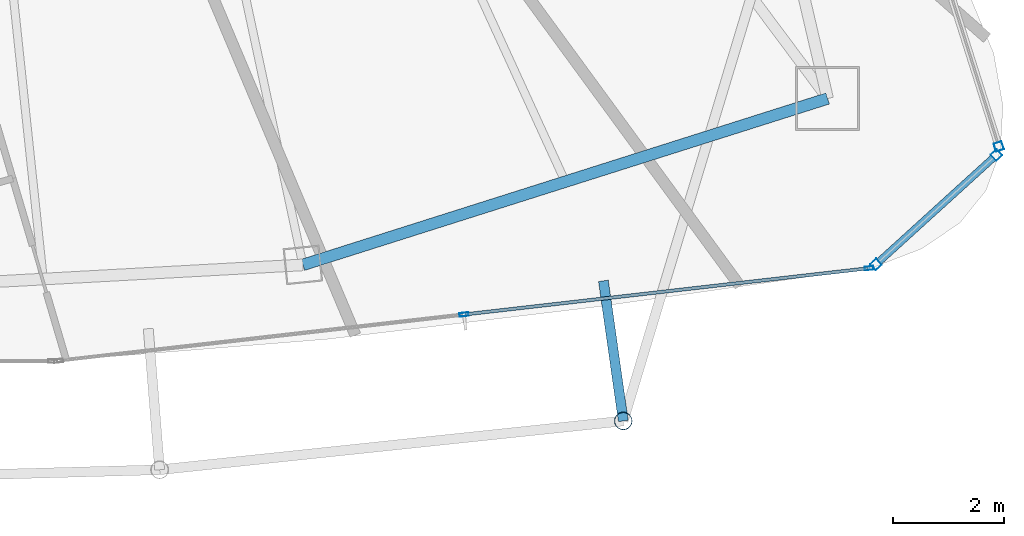
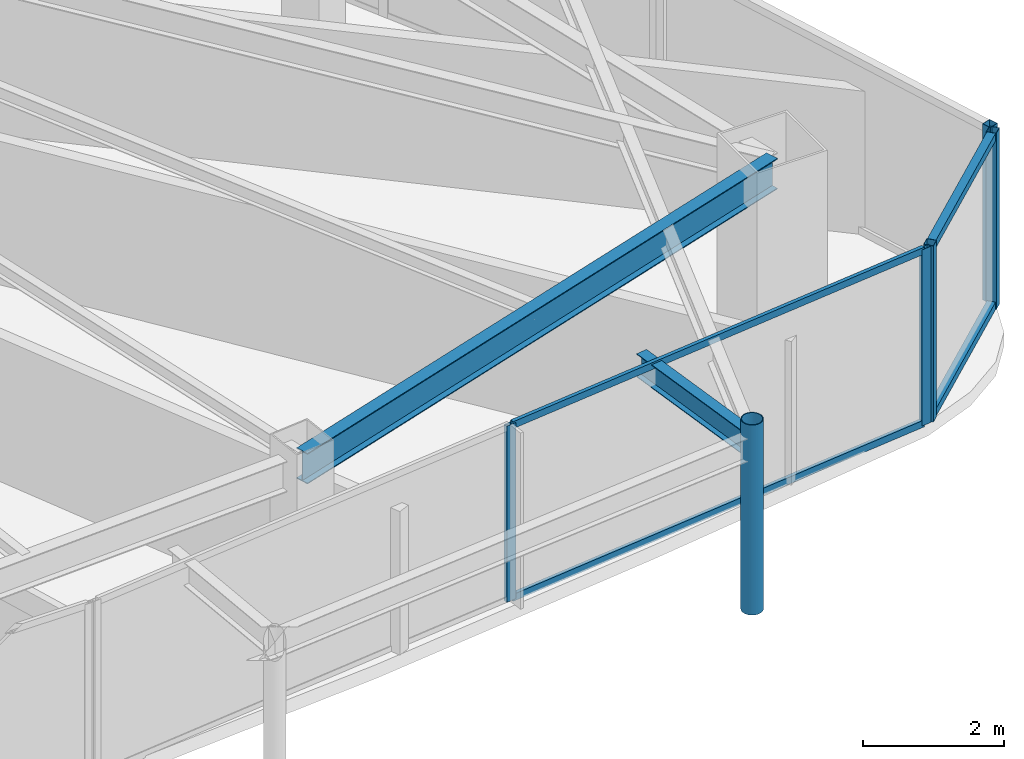
# One storey, part 14 of 28: 10 members, 2 beams, 3 elements without a shape of their own.
"""IFC4 building model written with IfcOpenShell, lengths in metres."""

import ifcopenshell
import ifcopenshell.guid

model = None  # the IFC model being written
_history = None  # IfcOwnerHistory: only IFC2X3 demands one
_inside = {}  # id of a spatial element -> (the spatial element, [elements in it])
_under = {}  # id of a project, library or spatial element -> (it, [spatial elements below it])
_declared = {}  # id of a project -> (the project, [libraries it declares])
_typed = {}  # id of a type object -> (the type object, [elements of that type])
_made_of = {}  # id of a material, layer set ... -> (it, [elements and type objects made of it])


def new_model(schema):
    """Start an empty IFC model of exactly this schema.

    Asked for "IFC4X3", IfcOpenShell would pick the latest addendum, in which some entities
    have other attributes; the version numbers below select the first issue.
    IFC2X3 requires an IfcOwnerHistory on every rooted entity: one is made here for all.
    """
    global model, _history
    if schema == "IFC4X3":
        model = ifcopenshell.file(schema_version=(4, 3, 0, 0))
    else:
        model = ifcopenshell.file(schema=schema)
    _inside.clear()
    _under.clear()
    _declared.clear()
    _typed.clear()
    _made_of.clear()
    _history = None
    if model.schema == "IFC2X3":
        org = make("IfcOrganization", Name="unknown")
        user = make(
            "IfcPersonAndOrganization",
            ThePerson=make("IfcPerson", FamilyName="unknown"),
            TheOrganization=org,
        )
        app = make(
            "IfcApplication",
            ApplicationDeveloper=org,
            Version="unknown",
            ApplicationFullName="unknown",
            ApplicationIdentifier="unknown",
        )
        _history = make(
            "IfcOwnerHistory",
            OwningUser=user,
            OwningApplication=app,
            ChangeAction="ADDED",
            CreationDate=0,
        )
    return model


def make(cls, **values):
    """One entity of the class cls with the attributes given. An attribute that is None is left unset."""
    return model.create_entity(
        cls, **{name: value for name, value in values.items() if value is not None}
    )


def rooted(cls, **values):
    """An entity with a GlobalId (a new one), such as an element, a storey or a relation."""
    return make(cls, GlobalId=ifcopenshell.guid.new(), OwnerHistory=_history, **values)


def si_unit(unit_type, name, prefix=None):
    """IfcSIUnit, for example si_unit("LENGTHUNIT", "METRE", prefix="MILLI")."""
    return make("IfcSIUnit", UnitType=unit_type, Prefix=prefix, Name=name)


def assignment(units):
    """IfcUnitAssignment: the units of a project."""
    return None if units is None else make("IfcUnitAssignment", Units=units)


def point(xyz):
    """IfcCartesianPoint."""
    return None if xyz is None else make("IfcCartesianPoint", Coordinates=xyz)


def direction(xyz):
    """IfcDirection."""
    return None if xyz is None else make("IfcDirection", DirectionRatios=xyz)


def frame(location, z_axis=None, x_axis=None):
    """IfcAxis2Placement3D, a coordinate frame: its origin and axes. An axis left out is left unset."""
    return make(
        "IfcAxis2Placement3D",
        Location=point(location),
        Axis=direction(z_axis),
        RefDirection=direction(x_axis),
    )


def frame_2d(location, x_axis=None):
    """IfcAxis2Placement2D, a coordinate frame in the plane: its origin and x axis."""
    return make(
        "IfcAxis2Placement2D", Location=point(location), RefDirection=direction(x_axis)
    )


def origin():
    """The frame at (0, 0, 0) with its axes left unset."""
    return frame((0.0, 0.0, 0.0))


def origin_2d():
    """The frame at (0, 0) in the plane with its x axis left unset."""
    return frame_2d((0.0, 0.0))


def place(relative_to, where):
    """IfcLocalPlacement: puts the frame where relative to a parent placement (None: the world)."""
    return make(
        "IfcLocalPlacement", PlacementRelTo=relative_to, RelativePlacement=where
    )


def context(
    kind, dimensions, precision=None, world=None, true_north=None, identifier=None
):
    """IfcGeometricRepresentationContext, for example the 3D "Model" context."""
    return make(
        "IfcGeometricRepresentationContext",
        ContextIdentifier=identifier,
        ContextType=kind,
        CoordinateSpaceDimension=dimensions,
        Precision=precision,
        WorldCoordinateSystem=world,
        TrueNorth=true_north,
    )


def subcontext(parent, identifier, kind, view, scale=None):
    """IfcGeometricRepresentationSubContext, for example "Body" below "Model"."""
    return make(
        "IfcGeometricRepresentationSubContext",
        ContextIdentifier=identifier,
        ContextType=kind,
        ParentContext=parent,
        TargetScale=scale,
        TargetView=view,
    )


def project(units=None, contexts=None):
    """IfcProject with its units and contexts."""
    return rooted(
        "IfcProject",
        Name="project",
        RepresentationContexts=contexts,
        UnitsInContext=assignment(units),
    )


def spatial(cls, under=None, at=None, **own):
    """A site, building, storey or space (cls), placed at a placement, below another one or the project."""
    s = rooted(cls, ObjectPlacement=at, **own)
    if under is not None:
        _under.setdefault(under.id(), (under, []))[1].append(s)
    return s


def profile(cls, at=None, kind="AREA", **sizes):
    """A parametric profile (cls). Its sizes go by their IFC names, for example OverallWidth=200.0."""
    return make(cls, ProfileType=kind, Position=at, **sizes)


def hollow_rectangle(**sizes):
    """IfcRectangleHollowProfileDef."""
    return profile("IfcRectangleHollowProfileDef", **sizes)


def hollow_circle(**sizes):
    """IfcCircleHollowProfileDef."""
    return profile("IfcCircleHollowProfileDef", **sizes)


def i_section(**sizes):
    """IfcIShapeProfileDef."""
    return profile("IfcIShapeProfileDef", **sizes)


def extrude(swept, where, along, depth):
    """IfcExtrudedAreaSolid: the profile swept, set in the frame where, extruded along a direction by depth."""
    return make(
        "IfcExtrudedAreaSolid",
        SweptArea=swept,
        Position=where,
        ExtrudedDirection=direction(along),
        Depth=depth,
    )


def shape(context_of_items, identifier, shape_type, items):
    """IfcShapeRepresentation: the items that make up one representation, for example the "Body"."""
    return make(
        "IfcShapeRepresentation",
        ContextOfItems=context_of_items,
        RepresentationIdentifier=identifier,
        RepresentationType=shape_type,
        Items=items,
    )


def material(Name=None, Category=None):
    """IfcMaterial."""
    return make("IfcMaterial", Name=Name, Category=Category)


def layer(
    of_material, thickness, ventilated=None, Name=None, Category=None, Priority=None
):
    """IfcMaterialLayer: one layer of a wall or slab, of a material (None: an air gap)."""
    return make(
        "IfcMaterialLayer",
        Material=of_material,
        LayerThickness=thickness,
        IsVentilated=ventilated,
        Name=Name,
        Category=Category,
        Priority=Priority,
    )


def layer_set(layers, Name=None):
    """IfcMaterialLayerSet."""
    return make("IfcMaterialLayerSet", MaterialLayers=layers, LayerSetName=Name)


def material_profile(
    of_material, cross_section, Name=None, Category=None, Priority=None
):
    """IfcMaterialProfile: a cross section and its material."""
    return make(
        "IfcMaterialProfile",
        Name=Name,
        Material=of_material,
        Profile=cross_section,
        Priority=Priority,
        Category=Category,
    )


def profile_set(profiles, Name=None, composite=None):
    """IfcMaterialProfileSet."""
    return make(
        "IfcMaterialProfileSet",
        Name=Name,
        MaterialProfiles=profiles,
        CompositeProfile=composite,
    )


def made_of(thing, what):
    """Note that an element or type object is made of a material, layer set ...; save() writes the relation."""
    if what is not None:
        _made_of.setdefault(what.id(), (what, []))[1].append(thing)
    return thing


def type_object(cls, material=None, **own):
    """A type object (cls), such as IfcWallType, which elements share."""
    return made_of(rooted(cls, **own), material)


def element(
    cls,
    number,
    at=None,
    inside=None,
    cuts=None,
    type_object=None,
    material=None,
    context=None,
    identifier="Body",
    shape_type=None,
    held_by="IfcProductDefinitionShape",
    body=None,
    shapes=None,
    **own,
):
    """One element of the class cls, such as IfcWall. Its Tag is "e" and its number.

    at: its placement. inside: the storey or other place that contains it. cuts: it is an
    opening in that element (IfcRelVoidsElement). A single representation is given by context,
    identifier, shape_type and body (its items); several are given by shapes. held_by: the class
    of the entity that holds the representations. save() writes the other relations.
    """
    e = rooted(cls, Tag="e%d" % number, ObjectPlacement=at, **own)
    if body is not None:
        shapes = [shape(context, identifier, shape_type, body)]
    if shapes is not None:
        e.Representation = make(held_by, Representations=shapes)
    if inside is not None:
        _inside.setdefault(inside.id(), (inside, []))[1].append(e)
    if cuts is not None:
        rooted(
            "IfcRelVoidsElement", RelatingBuildingElement=cuts, RelatedOpeningElement=e
        )
    if type_object is not None:
        _typed.setdefault(type_object.id(), (type_object, []))[1].append(e)
    return made_of(e, material)


def aggregate(whole, parts):
    """IfcRelAggregates: a whole, such as a stair, and the parts it consists of."""
    return rooted("IfcRelAggregates", RelatingObject=whole, RelatedObjects=parts)


def save(model, path):
    """Write the relations noted so far, then the file.

    IfcRelAggregates (storeys below a building ...), IfcRelContainedInSpatialStructure (elements
    in a storey), IfcRelDefinesByType, IfcRelAssociatesMaterial and IfcRelDeclares: one each for
    every whole, place, type object, material and project.
    """
    for whole, parts in _under.values():
        aggregate(whole, parts)
    for where, things in _inside.values():
        rooted(
            "IfcRelContainedInSpatialStructure",
            RelatedElements=things,
            RelatingStructure=where,
        )
    for kind, things in _typed.values():
        rooted("IfcRelDefinesByType", RelatedObjects=things, RelatingType=kind)
    for what, things in _made_of.values():
        rooted("IfcRelAssociatesMaterial", RelatedObjects=things, RelatingMaterial=what)
    for by, libraries in _declared.values():
        rooted("IfcRelDeclares", RelatingContext=by, RelatedDefinitions=libraries)
    model.write(path)


model = new_model("IFC4")

# Units and contexts
model_context = context("Model", 3, precision=1e-05, world=origin(), true_north=direction((0.0, 1.0)))
body_context = subcontext(model_context, "Body", "Model", "MODEL_VIEW")
ifc_project = project(units=[si_unit("LENGTHUNIT", "METRE"), si_unit("AREAUNIT", "SQUARE_METRE"), si_unit("VOLUMEUNIT", "CUBIC_METRE"), si_unit("PLANEANGLEUNIT", "RADIAN"), si_unit("MASSUNIT", "GRAM", prefix="KILO")], contexts=[model_context])

# Site, building, storey
site_placement = place(None, origin())
site = spatial("IfcSite", under=ifc_project, at=site_placement, CompositionType="ELEMENT")
building_placement = place(site_placement, origin())
building = spatial("IfcBuilding", under=site, at=building_placement, Name="Orvanel Arch Residences", CompositionType="ELEMENT")
storey_placement = place(building_placement, frame((0.0, 0.0, 263.449951171875)))
storey = spatial("IfcBuildingStorey", under=building, at=storey_placement, Name="L75", CompositionType="ELEMENT", Elevation=263.449951171875)

# Curtain wall, members
ifc_material_1 = material(Name="Bronze-anodised aluminium AA6063-T6", Category="aluminium")
ifc_layer_1 = layer(ifc_material_1, 0.18994140625)
ifc_layer_set_1 = layer_set([ifc_layer_1], Name="Bronze-anodised aluminium AA6063-T6")
curtain_wall_type_1 = type_object("IfcCurtainWallType", Name="CW5-CRN-SYS", PredefinedType="NOTDEFINED", material=ifc_layer_set_1)
curtain_wall_1_placement = place(storey_placement, origin())
curtain_wall_1 = element("IfcCurtainWall", 1, at=curtain_wall_1_placement, inside=storey, type_object=curtain_wall_type_1, Name="L75 CW5-CRN-SYS Unitised Curtain Wall", PredefinedType="NOTDEFINED")
ifc_material_profile_1 = material_profile(ifc_material_1, hollow_rectangle(XDim=0.14990234375, YDim=0.14990234375, WallThickness=0.0048828125, at=origin_2d()), Name="ALU150x150x5")
ifc_profile_set_1 = profile_set([ifc_material_profile_1], Name="Bronze-anodised aluminium AA6063-T6")
member_type_1 = type_object("IfcMemberType", Name="MUL-150x150", PredefinedType="MULLION", material=ifc_profile_set_1)
member_1_placement = place(storey_placement, frame((52.672607421875, 7.364501953125, 0.0), z_axis=(0.0, 0.0, 1.0), x_axis=(-0.672365707037, 0.740219127016, 0.0)))
member_1 = element("IfcMember", 2, at=member_1_placement, type_object=member_type_1, Name="CW-S5 mullion 1", PredefinedType="MULLION", context=body_context, shape_type="SweptSolid", body=[
    extrude(hollow_rectangle(XDim=0.14990234375, YDim=0.14990234375, WallThickness=0.0048828125, at=origin_2d()), origin(), (0.0, 0.0, 1.0), 3.06005859375),
])
member_2_placement = place(storey_placement, frame((54.841552734375, 9.33447265625, 0.0), z_axis=(0.0, 0.0, 1.0), x_axis=(-0.672365707037, 0.740219127016, 0.0)))
member_2 = element("IfcMember", 3, at=member_2_placement, type_object=member_type_1, Name="CW-S5 mullion 2", PredefinedType="MULLION", context=body_context, shape_type="SweptSolid", body=[
    extrude(hollow_rectangle(XDim=0.14990234375, YDim=0.14990234375, WallThickness=0.0048828125, at=origin_2d()), origin(), (0.0, 0.0, 1.0), 3.06005859375),
])

# Curtain wall, member
curtain_wall_2_placement = place(storey_placement, origin())
curtain_wall_2 = element("IfcCurtainWall", 4, at=curtain_wall_2_placement, inside=storey, type_object=curtain_wall_type_1, Name="L75 CW5-CRN-SYS Unitised Curtain Wall", PredefinedType="NOTDEFINED")
member_3_placement = place(storey_placement, frame((54.88330078125, 9.488525390625, 0.0), z_axis=(0.0, 0.0, 1.0), x_axis=(-0.953425503375, -0.30162859532, 0.0)))
member_3 = element("IfcMember", 5, at=member_3_placement, type_object=member_type_1, Name="CW-S5 mullion 1", PredefinedType="MULLION", context=body_context, shape_type="SweptSolid", body=[
    extrude(hollow_rectangle(XDim=0.14990234375, YDim=0.14990234375, WallThickness=0.0048828125, at=origin_2d()), origin(), (0.0, 0.0, 1.0), 3.06005859375),
])
aggregate(curtain_wall_2, [member_3])

# Curtain wall, members
ifc_layer_2 = layer(ifc_material_1, 0.175048828125)
ifc_layer_set_2 = layer_set([ifc_layer_2], Name="Bronze-anodised aluminium AA6063-T6")
curtain_wall_type_2 = type_object("IfcCurtainWallType", Name="CW4-HI-SYS", PredefinedType="NOTDEFINED", material=ifc_layer_set_2)
curtain_wall_3_placement = place(storey_placement, origin())
curtain_wall_3 = element("IfcCurtainWall", 6, at=curtain_wall_3_placement, inside=storey, type_object=curtain_wall_type_2, Name="L75 CW4-HI-SYS Unitised Curtain Wall", PredefinedType="NOTDEFINED")
ifc_material_profile_2 = material_profile(ifc_material_1, hollow_rectangle(XDim=0.06494140625, YDim=0.159912109375, WallThickness=0.00390625, at=origin_2d()), Name="ALU160x65x4")
ifc_profile_set_2 = profile_set([ifc_material_profile_2], Name="Bronze-anodised aluminium AA6063-T6")
member_type_2 = type_object("IfcMemberType", Name="MUL-160x65", PredefinedType="MULLION", material=ifc_profile_set_2)
member_4_placement = place(storey_placement, frame((45.25146484375, 6.46142578125, 0.0), z_axis=(0.0, 0.0, 1.0), x_axis=(-0.113510277415, 0.993536822126, 0.0)))
member_4 = element("IfcMember", 7, at=member_4_placement, type_object=member_type_2, Name="CW-S4 mullion 2", PredefinedType="MULLION", context=body_context, shape_type="SweptSolid", body=[
    extrude(hollow_rectangle(XDim=0.06494140625, YDim=0.159912109375, WallThickness=0.00390625, at=origin_2d()), origin(), (0.0, 0.0, 1.0), 3.06005859375),
])
member_5_placement = place(storey_placement, frame((52.5498046875, 7.29541015625, 0.0), z_axis=(0.0, 0.0, 1.0), x_axis=(-0.113510277415, 0.993536822126, 0.0)))
member_5 = element("IfcMember", 8, at=member_5_placement, type_object=member_type_2, Name="CW-S4 mullion 3", PredefinedType="MULLION", context=body_context, shape_type="SweptSolid", body=[
    extrude(hollow_rectangle(XDim=0.06494140625, YDim=0.159912109375, WallThickness=0.00390625, at=origin_2d()), origin(), (0.0, 0.0, 1.0), 3.06005859375),
])

# Beams
ifc_material_2 = material(Name="Structural steel AS/NZS 3679.1 Grade 300 (300 MPa)", Category="steel")
ifc_material_profile_3 = material_profile(ifc_material_2, i_section(OverallWidth=0.177978515625, OverallDepth=0.406005859375, WebThickness=0.0078125, FlangeThickness=0.0126953125, at=origin_2d()), Name="410UB59.7")
ifc_profile_set_3 = profile_set([ifc_material_profile_3], Name="Structural steel AS/NZS 3679.1 Grade 300 (300 MPa)")
beam_type_1 = type_object("IfcBeamType", Name="OB-410UB-EXT", PredefinedType="SPANDREL", material=ifc_profile_set_3)
beam_1_placement = place(storey_placement, frame((47.762939453125, 7.068115234375, 2.85693359375), z_axis=(0.140482825282, -0.990083115602, 0.0), x_axis=(0.990083115602, 0.140482825282, 0.0)))
element("IfcBeam", 9, at=beam_1_placement, inside=storey, type_object=beam_type_1, Name="L75 Outer Frame Radial Tie Beam 08", PredefinedType="SPANDREL", context=body_context, shape_type="SweptSolid", body=[
    extrude(i_section(OverallWidth=0.177978515625, OverallDepth=0.406005859375, WebThickness=0.0078125, FlangeThickness=0.0126953125, at=origin_2d()), origin(), (0.0, 0.0, 1.0), 2.549560546875),
])
ifc_material_profile_4 = material_profile(ifc_material_2, i_section(OverallWidth=0.208984375, OverallDepth=0.532958984375, WebThickness=0.01025390625, FlangeThickness=0.015625, at=origin_2d()), Name="530UB92.4")
ifc_profile_set_4 = profile_set([ifc_material_profile_4], Name="Structural steel AS/NZS 3679.1 Grade 300 (300 MPa)")
beam_type_2 = type_object("IfcBeamType", Name="SP-530UB", PredefinedType="SPANDREL", material=ifc_profile_set_4)
beam_2_placement = place(storey_placement, frame((42.35107421875, 7.35498046875, 2.79296875), z_axis=(0.953237386592, 0.302222574941, 0.0), x_axis=(-0.302222574941, 0.953237386592, 0.0)))
element("IfcBeam", 10, at=beam_2_placement, inside=storey, type_object=beam_type_2, Name="L75 Perimeter Spandrel Beam 05", PredefinedType="SPANDREL", context=body_context, shape_type="SweptSolid", body=[
    extrude(i_section(OverallWidth=0.208984375, OverallDepth=0.532958984375, WebThickness=0.01025390625, FlangeThickness=0.015625, at=origin_2d()), origin(), (0.0, 0.0, 1.0), 9.91357421875),
])

# Member
ifc_material_3 = material(Name="Structural steel AS/NZS 1163 C350L0 (Grade 350)", Category="steel")
ifc_material_profile_5 = material_profile(ifc_material_3, hollow_circle(Radius=0.162109375, WallThickness=0.0126953125, at=origin_2d()), Name="CHS324x12.7")
ifc_profile_set_5 = profile_set([ifc_material_profile_5], Name="Structural steel AS/NZS 1163 C350L0 (Grade 350)")
member_type_3 = type_object("IfcMemberType", Name="ST-324CHS-EXT", PredefinedType="STRUT", material=ifc_profile_set_5)
member_6_placement = place(storey_placement, frame((48.12109375, 4.5439453125, 0.0), z_axis=(0.0, 0.0, 1.0), x_axis=(1.0, 0.0, 0.0)))
element("IfcMember", 11, at=member_6_placement, inside=storey, type_object=member_type_3, Name="L75 Outer Perimeter Frame Post 08", PredefinedType="STRUT", context=body_context, shape_type="SweptSolid", body=[
    extrude(hollow_circle(Radius=0.162109375, WallThickness=0.0126953125, at=origin_2d()), origin(), (0.0, 0.0, 1.0), 3.300048828125),
])

ifc_material_profile_6 = material_profile(ifc_material_1, hollow_rectangle(XDim=0.06005859375, YDim=0.1201171875, WallThickness=0.00341796875, at=origin_2d()), Name="ALU120x60x3.5")
ifc_profile_set_6 = profile_set([ifc_material_profile_6], Name="Bronze-anodised aluminium AA6063-T6")
member_type_4 = type_object("IfcMemberType", Name="TRN-120x60", PredefinedType="USERDEFINED", material=ifc_profile_set_6)
member_7_placement = place(storey_placement, frame((45.28369140625, 6.465087890625, 0.030029296875), z_axis=(0.993537103282, 0.113507816484, 0.0), x_axis=(-0.113507816484, 0.993537103282, 0.0)))
member_7 = element("IfcMember", 12, at=member_7_placement, type_object=member_type_4, Name="CW-S4 transom 2.1", ObjectType="TRANSOM", PredefinedType="USERDEFINED", context=body_context, shape_type="SweptSolid", body=[
    extrude(hollow_rectangle(XDim=0.06005859375, YDim=0.1201171875, WallThickness=0.00341796875, at=origin_2d()), origin(), (0.0, 0.0, 1.0), 7.28076171875),
])

member_8_placement = place(storey_placement, frame((45.28369140625, 6.465087890625, 3.030029296875), z_axis=(0.993537103282, 0.113507816484, 0.0), x_axis=(-0.113507816484, 0.993537103282, 0.0)))
member_8 = element("IfcMember", 13, at=member_8_placement, type_object=member_type_4, Name="CW-S4 transom 2.2", ObjectType="TRANSOM", PredefinedType="USERDEFINED", context=body_context, shape_type="SweptSolid", body=[
    extrude(hollow_rectangle(XDim=0.06005859375, YDim=0.1201171875, WallThickness=0.00341796875, at=origin_2d()), origin(), (0.0, 0.0, 1.0), 7.28076171875),
])

aggregate(curtain_wall_3, [member_4, member_5, member_7, member_8])

ifc_material_profile_7 = material_profile(ifc_material_1, hollow_rectangle(XDim=0.1298828125, YDim=0.1298828125, WallThickness=0.00439453125, at=origin_2d()), Name="ALU130x130x4.5")
ifc_profile_set_7 = profile_set([ifc_material_profile_7], Name="Bronze-anodised aluminium AA6063-T6")
member_type_5 = type_object("IfcMemberType", Name="TRN-130x130", PredefinedType="USERDEFINED", material=ifc_profile_set_7)
member_9_placement = place(storey_placement, frame((52.72802734375, 7.414794921875, 0.06494140625), z_axis=(0.74019035374, 0.672397382677, 0.0), x_axis=(-0.672397382677, 0.74019035374, 0.0)))
member_9 = element("IfcMember", 14, at=member_9_placement, type_object=member_type_5, Name="CW-S5 transom 1.1", ObjectType="TRANSOM", PredefinedType="USERDEFINED", context=body_context, shape_type="SweptSolid", body=[
    extrude(hollow_rectangle(XDim=0.1298828125, YDim=0.1298828125, WallThickness=0.00439453125, at=origin_2d()), origin(), (0.0, 0.0, 1.0), 2.7802734375),
])

member_10_placement = place(storey_placement, frame((52.72802734375, 7.414794921875, 2.9951171875), z_axis=(0.74019035374, 0.672397382677, 0.0), x_axis=(-0.672397382677, 0.74019035374, 0.0)))
member_10 = element("IfcMember", 15, at=member_10_placement, type_object=member_type_5, Name="CW-S5 transom 1.2", ObjectType="TRANSOM", PredefinedType="USERDEFINED", context=body_context, shape_type="SweptSolid", body=[
    extrude(hollow_rectangle(XDim=0.1298828125, YDim=0.1298828125, WallThickness=0.00439453125, at=origin_2d()), origin(), (0.0, 0.0, 1.0), 2.7802734375),
])

aggregate(curtain_wall_1, [member_1, member_2, member_9, member_10])

save(model, "model.ifc")
